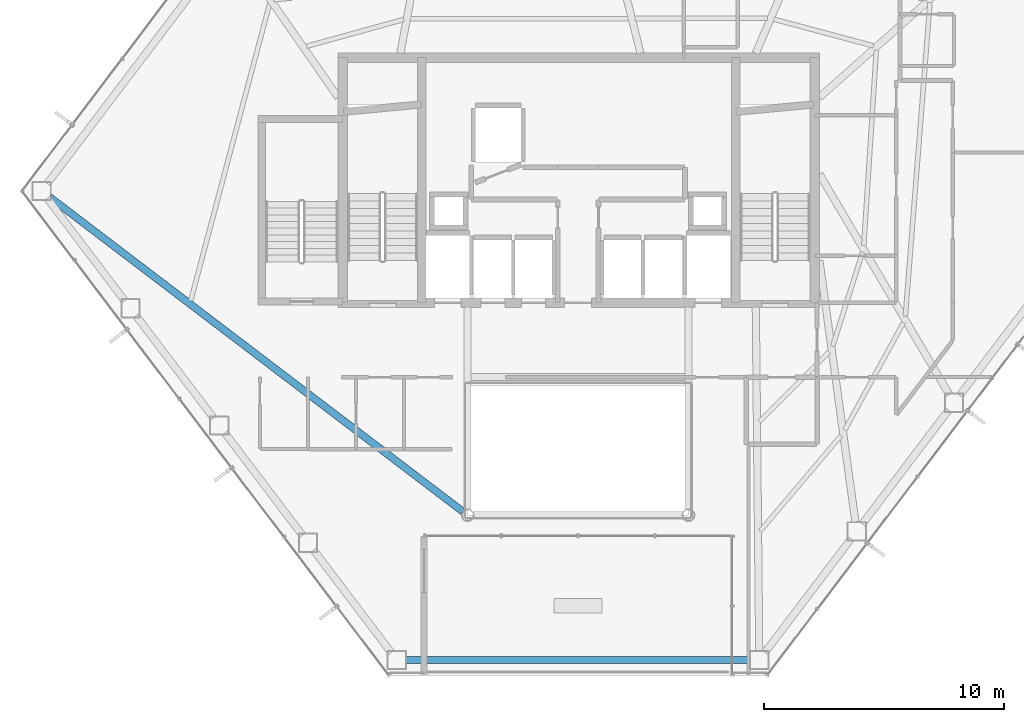
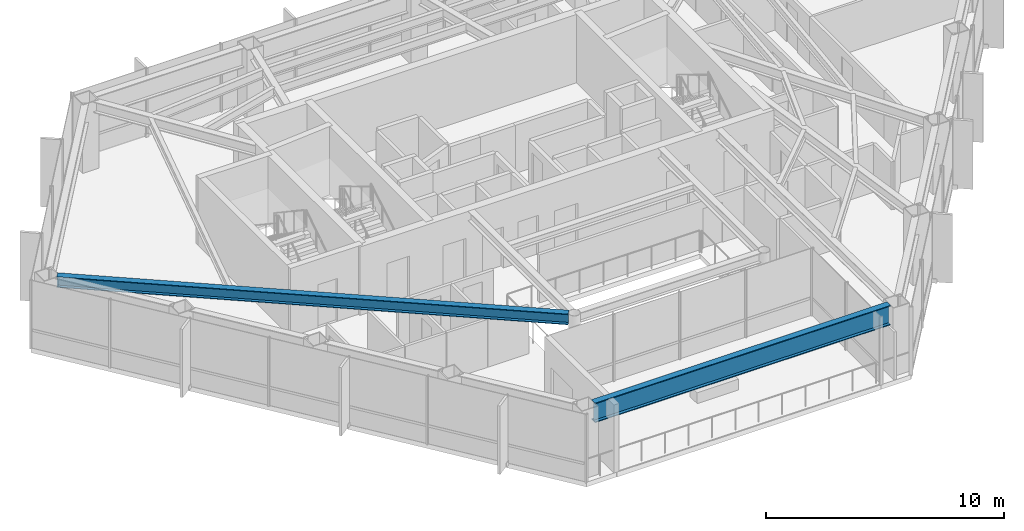
# One storey, part 5 of 28: 2 beams.
"""IFC4 building model written with IfcOpenShell, lengths in metres."""

from ifc_helpers import new_model, si_unit, direction, frame, origin, origin_2d, place, context, subcontext, project, spatial, i_section, extrude, material, material_profile, profile_set, type_object, element, save


model = new_model("IFC4")

# Units and contexts
model_context = context("Model", 3, precision=1e-05, world=origin(), true_north=direction((0.0, 1.0)))
body_context = subcontext(model_context, "Body", "Model", "MODEL_VIEW")
ifc_project = project(units=[si_unit("LENGTHUNIT", "METRE"), si_unit("AREAUNIT", "SQUARE_METRE"), si_unit("VOLUMEUNIT", "CUBIC_METRE"), si_unit("PLANEANGLEUNIT", "RADIAN"), si_unit("MASSUNIT", "GRAM", prefix="KILO")], contexts=[model_context])

# Site, building, storey
site_placement = place(None, origin())
site = spatial("IfcSite", under=ifc_project, at=site_placement, CompositionType="ELEMENT")
building_placement = place(site_placement, origin())
building = spatial("IfcBuilding", under=site, at=building_placement, Name="Zarrinselat Tower", CompositionType="ELEMENT")
storey_placement = place(building_placement, frame((0.0, 0.0, 157.080078125)))
storey = spatial("IfcBuildingStorey", under=building, at=storey_placement, Name="L38", CompositionType="ELEMENT", Elevation=157.080078125)

# Beams
ifc_material_1 = material(Name="Steel S355J2", Category="steel")
ifc_material_profile_1 = material_profile(ifc_material_1, i_section(OverallWidth=0.300048828125, OverallDepth=0.550048828125, WebThickness=0.014892578125, FlangeThickness=0.029052734375, at=origin_2d()), Name="HEB 550")
ifc_profile_set_1 = profile_set([ifc_material_profile_1], Name="Steel S355J2")
beam_type_1 = type_object("IfcBeamType", Name="BM-HEB550", PredefinedType="BEAM", material=ifc_profile_set_1)
beam_1_placement = place(storey_placement, frame((16.3828125, 37.654541015625, 3.224853515625), z_axis=(0.795780227565, -0.605585526096, 0.0), x_axis=(0.605585526096, 0.795780227565, 0.0)))
element("IfcBeam", 1, at=beam_1_placement, inside=storey, type_object=beam_type_1, Name="L38 Radial Primary Girder RG06", PredefinedType="BEAM", context=body_context, shape_type="SweptSolid", body=[
    extrude(i_section(OverallWidth=0.300048828125, OverallDepth=0.550048828125, WebThickness=0.014892578125, FlangeThickness=0.029052734375, at=origin_2d()), origin(), (0.0, 0.0, 1.0), 21.636962890625),
])
ifc_material_2 = material(Name="Steel S460M", Category="steel")
ifc_material_profile_2 = material_profile(ifc_material_2, i_section(OverallWidth=0.302001953125, OverallDepth=1.008056640625, WebThickness=0.02099609375, FlangeThickness=0.0400390625, at=origin_2d()), Name="HEM 1000")
ifc_profile_set_2 = profile_set([ifc_material_profile_2], Name="Steel S460M")
beam_type_2 = type_object("IfcBeamType", Name="BM-HEM1000", PredefinedType="BEAM", material=ifc_profile_set_2)
beam_2_placement = place(storey_placement, frame((31.2421875, 18.373291015625, 2.995849609375), z_axis=(1.0, 0.0, 0.0), x_axis=(0.0, 1.0, 0.0)))
element("IfcBeam", 2, at=beam_2_placement, inside=storey, type_object=beam_type_2, Name="L38 Perimeter Spandrel Girder SP10", PredefinedType="BEAM", context=body_context, shape_type="SweptSolid", body=[
    extrude(i_section(OverallWidth=0.302001953125, OverallDepth=1.008056640625, WebThickness=0.02099609375, FlangeThickness=0.0400390625, at=origin_2d()), origin(), (0.0, 0.0, 1.0), 14.3154296875),
])

save(model, "model.ifc")
